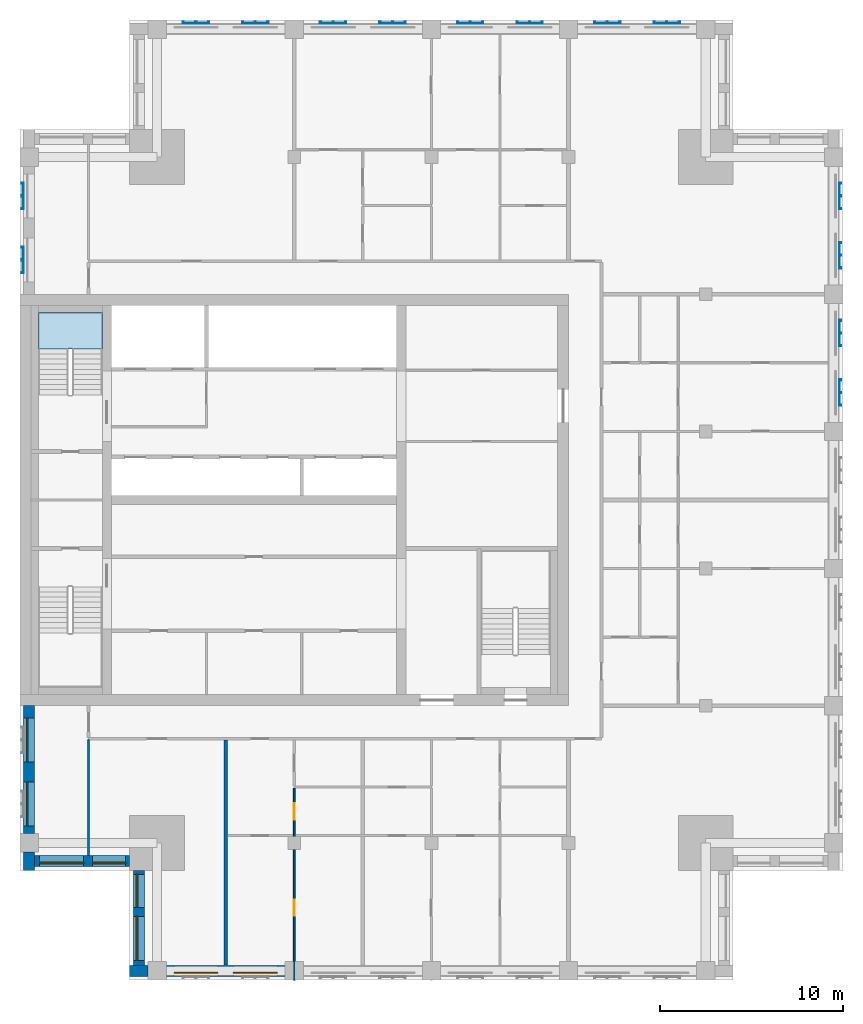
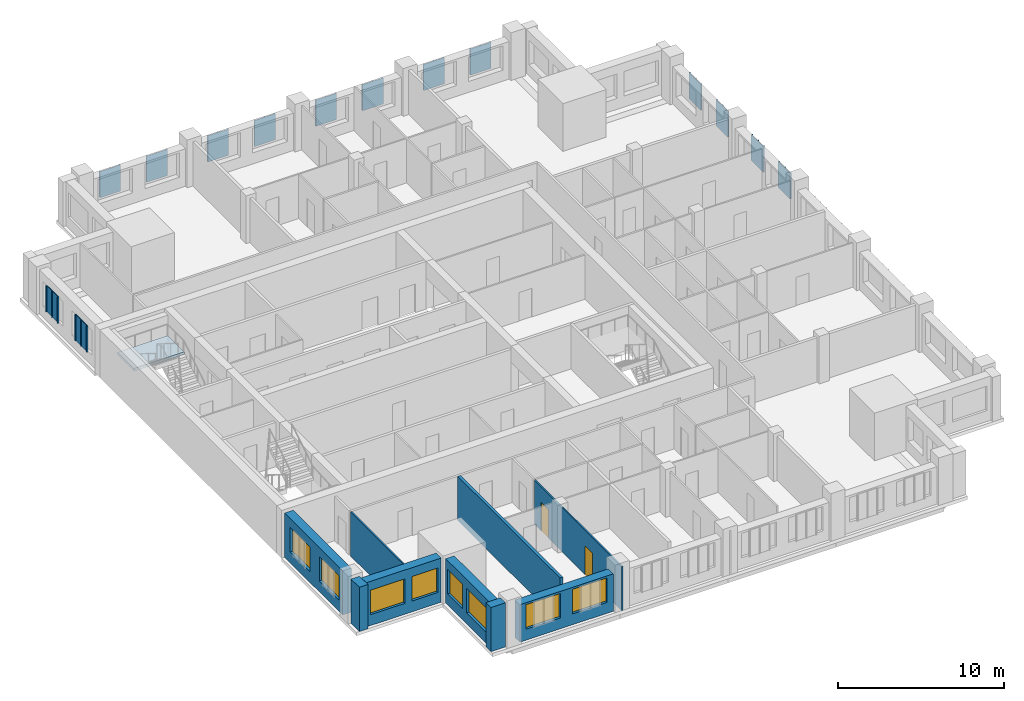
# One storey, part 2 of 10: 14 plates, 9 walls, 8 windows, 2 doors, 1 slab, 10 openings, 1 element without a shape of its own.
"""IFC4 building model written with IfcOpenShell, lengths in metres."""

from ifc_helpers import new_model, si_unit, direction, frame, frame_2d, origin, place, context, subcontext, project, spatial, polyline, rectangle, outline, extrude, material, layer, layer_set, type_object, element, fill, aggregate, save


model = new_model("IFC4")

# Units and contexts
model_context = context("Model", 3, precision=1e-05, world=origin(), true_north=direction((0.0, 1.0)))
body_context = subcontext(model_context, "Body", "Model", "MODEL_VIEW")
ifc_project = project(units=[si_unit("LENGTHUNIT", "METRE"), si_unit("AREAUNIT", "SQUARE_METRE"), si_unit("VOLUMEUNIT", "CUBIC_METRE"), si_unit("PLANEANGLEUNIT", "RADIAN"), si_unit("MASSUNIT", "GRAM", prefix="KILO")], contexts=[model_context])

# Site, building, storey
site_placement = place(None, origin())
site = spatial("IfcSite", under=ifc_project, at=site_placement, CompositionType="ELEMENT")
building_placement = place(site_placement, origin())
building = spatial("IfcBuilding", under=site, at=building_placement, Name="Tamorin Gate", CompositionType="ELEMENT")
storey_placement = place(building_placement, frame((0.0, 0.0, 269.699951171875)))
storey = spatial("IfcBuildingStorey", under=building, at=storey_placement, Name="L67", CompositionType="ELEMENT", Elevation=269.699951171875)

# Stair, slab
ifc_material_1 = material(Name="Concrete C40/50", Category="concrete")
stair_type = type_object("IfcStairType", Name="Exit stair", PredefinedType="HALF_TURN_STAIR", material=ifc_material_1)
stair_placement = place(storey_placement, origin())
stair = element("IfcStair", 1, at=stair_placement, inside=storey, type_object=stair_type, Name="L67 stair ST2", PredefinedType="HALF_TURN_STAIR")
ifc_layer_1 = layer(ifc_material_1, 0.199951171875)
ifc_layer_set_1 = layer_set([ifc_layer_1], Name="Exit stair landing 200")
slab_type = type_object("IfcSlabType", Name="Exit stair landing 200", PredefinedType="LANDING", material=ifc_layer_set_1)
slab_placement = place(storey_placement, frame((0.0, 0.0, 1.550048828125)))
slab = element("IfcSlab", 2, at=slab_placement, type_object=slab_type, Name="ST2 landing 1", PredefinedType="LANDING", context=body_context, shape_type="SweptSolid", body=[
    extrude(outline(polyline([(34.5, 79.52001953125), (34.5, 81.5), (31.0, 81.5), (31.0, 79.52001953125), (34.5, 79.52001953125)])), origin(), (0.0, 0.0, 1.0), 0.199951171875),
])
aggregate(stair, [slab])

# Plates
ifc_material_2 = material(Name="Perforated pale aluminium sheet", Category="aluminium")
ifc_layer_2 = layer(ifc_material_2, 0.0400390625)
ifc_layer_set_2 = layer_set([ifc_layer_2], Name="Pale metal solar screen 1440")
plate_type = type_object("IfcPlateType", Name="Pale metal solar screen 1440", PredefinedType="SHEET", material=ifc_layer_set_2)
plate_1_placement = place(storey_placement, frame((0.0, 0.0, 0.737548828125)))
element("IfcPlate", 3, at=plate_1_placement, inside=storey, type_object=plate_type, Name="Perforated solar screen", PredefinedType="SHEET", context=body_context, shape_type="SweptSolid", body=[
    extrude(outline(polyline([(74.840087890625, 76.405029296875), (74.800048828125, 76.405029296875), (74.800048828125, 76.465087890625), (74.800048828125, 77.094970703125), (74.800048828125, 77.155029296875), (74.800048828125, 77.784912109375), (74.800048828125, 77.844970703125), (74.840087890625, 77.844970703125), (74.89990234375, 77.844970703125), (74.89990234375, 77.784912109375), (74.840087890625, 77.784912109375), (74.840087890625, 77.155029296875), (74.89990234375, 77.155029296875), (74.89990234375, 77.094970703125), (74.840087890625, 77.094970703125), (74.840087890625, 76.465087890625), (74.89990234375, 76.465087890625), (74.89990234375, 76.405029296875), (74.840087890625, 76.405029296875)])), origin(), (0.0, 0.0, 1.0), 1.925048828125),
])
plate_2_placement = place(storey_placement, frame((0.0, 0.0, 0.737548828125)))
element("IfcPlate", 4, at=plate_2_placement, inside=storey, type_object=plate_type, Name="Perforated solar screen", PredefinedType="SHEET", context=body_context, shape_type="SweptSolid", body=[
    extrude(outline(polyline([(74.840087890625, 79.655029296875), (74.800048828125, 79.655029296875), (74.800048828125, 79.715087890625), (74.800048828125, 80.344970703125), (74.800048828125, 80.405029296875), (74.800048828125, 81.034912109375), (74.800048828125, 81.094970703125), (74.840087890625, 81.094970703125), (74.89990234375, 81.094970703125), (74.89990234375, 81.034912109375), (74.840087890625, 81.034912109375), (74.840087890625, 80.405029296875), (74.89990234375, 80.405029296875), (74.89990234375, 80.344970703125), (74.840087890625, 80.344970703125), (74.840087890625, 79.715087890625), (74.89990234375, 79.715087890625), (74.89990234375, 79.655029296875), (74.840087890625, 79.655029296875)])), origin(), (0.0, 0.0, 1.0), 1.925048828125),
])
plate_3_placement = place(storey_placement, frame((0.0, 0.0, 0.737548828125)))
element("IfcPlate", 5, at=plate_3_placement, inside=storey, type_object=plate_type, Name="Perforated solar screen", PredefinedType="SHEET", context=body_context, shape_type="SweptSolid", body=[
    extrude(outline(polyline([(74.840087890625, 83.905029296875), (74.800048828125, 83.905029296875), (74.800048828125, 83.965087890625), (74.800048828125, 84.594970703125), (74.800048828125, 84.655029296875), (74.800048828125, 85.284912109375), (74.800048828125, 85.344970703125), (74.840087890625, 85.344970703125), (74.89990234375, 85.344970703125), (74.89990234375, 85.284912109375), (74.840087890625, 85.284912109375), (74.840087890625, 84.655029296875), (74.89990234375, 84.655029296875), (74.89990234375, 84.594970703125), (74.840087890625, 84.594970703125), (74.840087890625, 83.965087890625), (74.89990234375, 83.965087890625), (74.89990234375, 83.905029296875), (74.840087890625, 83.905029296875)])), origin(), (0.0, 0.0, 1.0), 1.925048828125),
])
plate_4_placement = place(storey_placement, frame((0.0, 0.0, 0.737548828125)))
element("IfcPlate", 6, at=plate_4_placement, inside=storey, type_object=plate_type, Name="Perforated solar screen", PredefinedType="SHEET", context=body_context, shape_type="SweptSolid", body=[
    extrude(outline(polyline([(74.840087890625, 87.155029296875), (74.800048828125, 87.155029296875), (74.800048828125, 87.215087890625), (74.800048828125, 87.844970703125), (74.800048828125, 87.905029296875), (74.800048828125, 88.534912109375), (74.800048828125, 88.594970703125), (74.840087890625, 88.594970703125), (74.89990234375, 88.594970703125), (74.89990234375, 88.534912109375), (74.840087890625, 88.534912109375), (74.840087890625, 87.905029296875), (74.89990234375, 87.905029296875), (74.89990234375, 87.844970703125), (74.840087890625, 87.844970703125), (74.840087890625, 87.215087890625), (74.89990234375, 87.215087890625), (74.89990234375, 87.155029296875), (74.840087890625, 87.155029296875)])), origin(), (0.0, 0.0, 1.0), 1.925048828125),
])
plate_5_placement = place(storey_placement, frame((0.0, 0.0, 0.737548828125)))
element("IfcPlate", 7, at=plate_5_placement, inside=storey, type_object=plate_type, Name="Perforated solar screen", PredefinedType="SHEET", context=body_context, shape_type="SweptSolid", body=[
    extrude(outline(polyline([(62.844970703125, 97.340087890625), (62.844970703125, 97.300048828125), (62.784912109375, 97.300048828125), (62.155029296875, 97.300048828125), (62.094970703125, 97.300048828125), (61.465087890625, 97.300048828125), (61.405029296875, 97.300048828125), (61.405029296875, 97.300048828125), (61.405029296875, 97.340087890625), (61.405029296875, 97.340087890625), (61.405029296875, 97.39990234375), (61.465087890625, 97.39990234375), (61.465087890625, 97.340087890625), (62.094970703125, 97.340087890625), (62.094970703125, 97.39990234375), (62.155029296875, 97.39990234375), (62.155029296875, 97.340087890625), (62.784912109375, 97.340087890625), (62.784912109375, 97.39990234375), (62.844970703125, 97.39990234375), (62.844970703125, 97.340087890625)])), origin(), (0.0, 0.0, 1.0), 1.925048828125),
])
plate_6_placement = place(storey_placement, frame((0.0, 0.0, 0.737548828125)))
element("IfcPlate", 8, at=plate_6_placement, inside=storey, type_object=plate_type, Name="Perforated solar screen", PredefinedType="SHEET", context=body_context, shape_type="SweptSolid", body=[
    extrude(outline(polyline([(66.094970703125, 97.340087890625), (66.094970703125, 97.300048828125), (66.034912109375, 97.300048828125), (65.405029296875, 97.300048828125), (65.344970703125, 97.300048828125), (64.715087890625, 97.300048828125), (64.655029296875, 97.300048828125), (64.655029296875, 97.300048828125), (64.655029296875, 97.340087890625), (64.655029296875, 97.340087890625), (64.655029296875, 97.39990234375), (64.715087890625, 97.39990234375), (64.715087890625, 97.340087890625), (65.344970703125, 97.340087890625), (65.344970703125, 97.39990234375), (65.405029296875, 97.39990234375), (65.405029296875, 97.340087890625), (66.034912109375, 97.340087890625), (66.034912109375, 97.39990234375), (66.094970703125, 97.39990234375), (66.094970703125, 97.340087890625)])), origin(), (0.0, 0.0, 1.0), 1.925048828125),
])
plate_7_placement = place(storey_placement, frame((0.0, 0.0, 0.737548828125)))
element("IfcPlate", 9, at=plate_7_placement, inside=storey, type_object=plate_type, Name="Perforated solar screen", PredefinedType="SHEET", context=body_context, shape_type="SweptSolid", body=[
    extrude(outline(polyline([(55.344970703125, 97.340087890625), (55.344970703125, 97.300048828125), (55.284912109375, 97.300048828125), (54.655029296875, 97.300048828125), (54.594970703125, 97.300048828125), (53.965087890625, 97.300048828125), (53.905029296875, 97.300048828125), (53.905029296875, 97.340087890625), (53.905029296875, 97.39990234375), (53.965087890625, 97.39990234375), (53.965087890625, 97.340087890625), (54.594970703125, 97.340087890625), (54.594970703125, 97.39990234375), (54.655029296875, 97.39990234375), (54.655029296875, 97.340087890625), (55.284912109375, 97.340087890625), (55.284912109375, 97.39990234375), (55.344970703125, 97.39990234375), (55.344970703125, 97.340087890625)])), origin(), (0.0, 0.0, 1.0), 1.925048828125),
])
plate_8_placement = place(storey_placement, frame((0.0, 0.0, 0.737548828125)))
element("IfcPlate", 10, at=plate_8_placement, inside=storey, type_object=plate_type, Name="Perforated solar screen", PredefinedType="SHEET", context=body_context, shape_type="SweptSolid", body=[
    extrude(outline(polyline([(58.594970703125, 97.340087890625), (58.594970703125, 97.300048828125), (58.534912109375, 97.300048828125), (57.905029296875, 97.300048828125), (57.844970703125, 97.300048828125), (57.215087890625, 97.300048828125), (57.155029296875, 97.300048828125), (57.155029296875, 97.340087890625), (57.155029296875, 97.39990234375), (57.215087890625, 97.39990234375), (57.215087890625, 97.340087890625), (57.844970703125, 97.340087890625), (57.844970703125, 97.39990234375), (57.905029296875, 97.39990234375), (57.905029296875, 97.340087890625), (58.534912109375, 97.340087890625), (58.534912109375, 97.39990234375), (58.594970703125, 97.39990234375), (58.594970703125, 97.340087890625)])), origin(), (0.0, 0.0, 1.0), 1.925048828125),
])
plate_9_placement = place(storey_placement, frame((0.0, 0.0, 0.737548828125)))
element("IfcPlate", 11, at=plate_9_placement, inside=storey, type_object=plate_type, Name="Perforated solar screen", PredefinedType="SHEET", context=body_context, shape_type="SweptSolid", body=[
    extrude(outline(polyline([(47.844970703125, 97.340087890625), (47.844970703125, 97.300048828125), (47.784912109375, 97.300048828125), (47.155029296875, 97.300048828125), (47.094970703125, 97.300048828125), (46.465087890625, 97.300048828125), (46.405029296875, 97.300048828125), (46.405029296875, 97.340087890625), (46.405029296875, 97.39990234375), (46.465087890625, 97.39990234375), (46.465087890625, 97.340087890625), (47.094970703125, 97.340087890625), (47.094970703125, 97.39990234375), (47.155029296875, 97.39990234375), (47.155029296875, 97.340087890625), (47.784912109375, 97.340087890625), (47.784912109375, 97.39990234375), (47.844970703125, 97.39990234375), (47.844970703125, 97.340087890625)])), origin(), (0.0, 0.0, 1.0), 1.925048828125),
])
plate_10_placement = place(storey_placement, frame((0.0, 0.0, 0.737548828125)))
element("IfcPlate", 12, at=plate_10_placement, inside=storey, type_object=plate_type, Name="Perforated solar screen", PredefinedType="SHEET", context=body_context, shape_type="SweptSolid", body=[
    extrude(outline(polyline([(51.094970703125, 97.340087890625), (51.094970703125, 97.300048828125), (51.034912109375, 97.300048828125), (50.405029296875, 97.300048828125), (50.344970703125, 97.300048828125), (49.715087890625, 97.300048828125), (49.655029296875, 97.300048828125), (49.655029296875, 97.340087890625), (49.655029296875, 97.39990234375), (49.715087890625, 97.39990234375), (49.715087890625, 97.340087890625), (50.344970703125, 97.340087890625), (50.344970703125, 97.39990234375), (50.405029296875, 97.39990234375), (50.405029296875, 97.340087890625), (51.034912109375, 97.340087890625), (51.034912109375, 97.39990234375), (51.094970703125, 97.39990234375), (51.094970703125, 97.340087890625)])), origin(), (0.0, 0.0, 1.0), 1.925048828125),
])
plate_11_placement = place(storey_placement, frame((0.0, 0.0, 0.737548828125)))
element("IfcPlate", 13, at=plate_11_placement, inside=storey, type_object=plate_type, Name="Perforated solar screen", PredefinedType="SHEET", context=body_context, shape_type="SweptSolid", body=[
    extrude(outline(polyline([(40.344970703125, 97.340087890625), (40.344970703125, 97.300048828125), (40.284912109375, 97.300048828125), (39.655029296875, 97.300048828125), (39.594970703125, 97.300048828125), (38.965087890625, 97.300048828125), (38.905029296875, 97.300048828125), (38.905029296875, 97.340087890625), (38.905029296875, 97.39990234375), (38.965087890625, 97.39990234375), (38.965087890625, 97.340087890625), (39.594970703125, 97.340087890625), (39.594970703125, 97.39990234375), (39.655029296875, 97.39990234375), (39.655029296875, 97.340087890625), (40.284912109375, 97.340087890625), (40.284912109375, 97.39990234375), (40.344970703125, 97.39990234375), (40.344970703125, 97.340087890625)])), origin(), (0.0, 0.0, 1.0), 1.925048828125),
])
plate_12_placement = place(storey_placement, frame((0.0, 0.0, 0.737548828125)))
element("IfcPlate", 14, at=plate_12_placement, inside=storey, type_object=plate_type, Name="Perforated solar screen", PredefinedType="SHEET", context=body_context, shape_type="SweptSolid", body=[
    extrude(outline(polyline([(43.594970703125, 97.340087890625), (43.594970703125, 97.300048828125), (43.534912109375, 97.300048828125), (42.905029296875, 97.300048828125), (42.844970703125, 97.300048828125), (42.215087890625, 97.300048828125), (42.155029296875, 97.300048828125), (42.155029296875, 97.340087890625), (42.155029296875, 97.39990234375), (42.215087890625, 97.39990234375), (42.215087890625, 97.340087890625), (42.844970703125, 97.340087890625), (42.844970703125, 97.39990234375), (42.905029296875, 97.39990234375), (42.905029296875, 97.340087890625), (43.534912109375, 97.340087890625), (43.534912109375, 97.39990234375), (43.594970703125, 97.39990234375), (43.594970703125, 97.340087890625)])), origin(), (0.0, 0.0, 1.0), 1.925048828125),
])
plate_13_placement = place(storey_placement, frame((0.0, 0.0, 0.737548828125)))
element("IfcPlate", 15, at=plate_13_placement, inside=storey, type_object=plate_type, Name="Perforated solar screen", PredefinedType="SHEET", context=body_context, shape_type="SweptSolid", body=[
    extrude(outline(polyline([(30.159912109375, 85.094970703125), (30.199951171875, 85.094970703125), (30.199951171875, 85.034912109375), (30.199951171875, 84.405029296875), (30.199951171875, 84.344970703125), (30.199951171875, 83.715087890625), (30.199951171875, 83.655029296875), (30.199951171875, 83.655029296875), (30.159912109375, 83.655029296875), (30.159912109375, 83.655029296875), (30.10009765625, 83.655029296875), (30.10009765625, 83.715087890625), (30.159912109375, 83.715087890625), (30.159912109375, 84.344970703125), (30.10009765625, 84.344970703125), (30.10009765625, 84.405029296875), (30.159912109375, 84.405029296875), (30.159912109375, 85.034912109375), (30.10009765625, 85.034912109375), (30.10009765625, 85.094970703125), (30.159912109375, 85.094970703125)])), origin(), (0.0, 0.0, 1.0), 1.925048828125),
])
plate_14_placement = place(storey_placement, frame((0.0, 0.0, 0.737548828125)))
element("IfcPlate", 16, at=plate_14_placement, inside=storey, type_object=plate_type, Name="Perforated solar screen", PredefinedType="SHEET", context=body_context, shape_type="SweptSolid", body=[
    extrude(outline(polyline([(30.159912109375, 88.594970703125), (30.199951171875, 88.594970703125), (30.199951171875, 88.534912109375), (30.199951171875, 87.905029296875), (30.199951171875, 87.844970703125), (30.199951171875, 87.215087890625), (30.199951171875, 87.155029296875), (30.199951171875, 87.155029296875), (30.159912109375, 87.155029296875), (30.159912109375, 87.155029296875), (30.10009765625, 87.155029296875), (30.10009765625, 87.215087890625), (30.159912109375, 87.215087890625), (30.159912109375, 87.844970703125), (30.10009765625, 87.844970703125), (30.10009765625, 87.905029296875), (30.159912109375, 87.905029296875), (30.159912109375, 88.534912109375), (30.10009765625, 88.534912109375), (30.10009765625, 88.594970703125), (30.159912109375, 88.594970703125)])), origin(), (0.0, 0.0, 1.0), 1.925048828125),
])

# Wall
ifc_material_3 = material(Name="Precast concrete C40/50", Category="concrete")
ifc_layer_3 = layer(ifc_material_3, 0.60009765625)
ifc_layer_set_3 = layer_set([ifc_layer_3], Name="Precast concrete C40/50")
wall_type_1 = type_object("IfcWallType", Name="Board-marked concrete facade panel 600", PredefinedType="SOLIDWALL", material=ifc_layer_set_3)
wall_1_placement = place(storey_placement, frame((36.0, 45.5, 0.0), z_axis=(0.0, 0.0, 1.0), x_axis=(1.0, 0.0, 0.0)))
element("IfcWall", 17, at=wall_1_placement, inside=storey, type_object=wall_type_1, Name="Facade panel", PredefinedType="SOLIDWALL", context=body_context, shape_type="SweptSolid", body=[
    extrude(rectangle(XDim=1.0, YDim=0.60009765625, at=frame_2d((0.5, 0.0))), origin(), (0.0, 0.0, 1.0), 3.25),
])

# Wall, openings, windows
wall_2_placement = place(storey_placement, frame((38.0, 45.5, 0.0), z_axis=(0.0, 0.0, 1.0), x_axis=(1.0, 0.0, 0.0)))
wall_2 = element("IfcWall", 18, at=wall_2_placement, inside=storey, type_object=wall_type_1, Name="Facade panel", PredefinedType="SOLIDWALL", context=body_context, shape_type="SweptSolid", body=[
    extrude(rectangle(XDim=6.5, YDim=0.60009765625, at=frame_2d((3.25, 0.0))), origin(), (0.0, 0.0, 1.0), 2.75),
])
opening_1_placement = place(wall_2_placement, frame((0.425048828125, 0.0, 0.800048828125)))
opening_1 = element("IfcOpeningElement", 19, at=opening_1_placement, cuts=wall_2, Name="Opening WN1", PredefinedType="OPENING", context=body_context, shape_type="SweptSolid", body=[
    extrude(rectangle(XDim=2.39990234375, YDim=1.800048828125, at=frame_2d((1.199951171875, 0.89990234375))), frame((0.0, 0.31005859375, 0.0), z_axis=(0.0, -1.0, 0.0), x_axis=(1.0, 0.0, 0.0)), (0.0, 0.0, 1.0), 0.6201171875),
])
opening_2_placement = place(wall_2_placement, frame((3.675048828125, 0.0, 0.800048828125)))
opening_2 = element("IfcOpeningElement", 20, at=opening_2_placement, cuts=wall_2, Name="Opening WN1", PredefinedType="OPENING", context=body_context, shape_type="SweptSolid", body=[
    extrude(rectangle(XDim=2.39990234375, YDim=1.800048828125, at=frame_2d((1.199951171875, 0.89990234375))), frame((0.0, 0.31005859375, 0.0), z_axis=(0.0, -1.0, 0.0), x_axis=(1.0, 0.0, 0.0)), (0.0, 0.0, 1.0), 0.6201171875),
])
ifc_material_4 = material(Name="Clear glass in aluminium frame", Category="aluminium")
window_type_1 = type_object("IfcWindowType", Name="Deep-set window 2400x1800", PartitioningType="SINGLE_PANEL", PredefinedType="WINDOW", material=ifc_material_4)
window_1_placement = place(opening_1_placement, origin())
window_1 = element("IfcWindow", 21, at=window_1_placement, inside=storey, type_object=window_type_1, Name="Deep-set window", OverallHeight=1.800048828125, OverallWidth=2.39990234375, PartitioningType="SINGLE_PANEL", PredefinedType="WINDOW", context=body_context, shape_type="SweptSolid", body=[
    extrude(rectangle(XDim=2.39990234375, YDim=1.800048828125, at=frame_2d((1.199951171875, 0.89990234375))), frame((0.0, -0.070068359375, 0.0), z_axis=(0.0, -1.0, 0.0), x_axis=(1.0, 0.0, 0.0)), (0.0, 0.0, 1.0), 0.06005859375),
])
fill(opening_1, window_1)
window_2_placement = place(opening_2_placement, origin())
window_2 = element("IfcWindow", 22, at=window_2_placement, inside=storey, type_object=window_type_1, Name="Deep-set window", OverallHeight=1.800048828125, OverallWidth=2.39990234375, PartitioningType="SINGLE_PANEL", PredefinedType="WINDOW", context=body_context, shape_type="SweptSolid", body=[
    extrude(rectangle(XDim=2.39990234375, YDim=1.800048828125, at=frame_2d((1.199951171875, 0.89990234375))), frame((0.0, -0.070068359375, 0.0), z_axis=(0.0, -1.0, 0.0), x_axis=(1.0, 0.0, 0.0)), (0.0, 0.0, 1.0), 0.06005859375),
])
fill(opening_2, window_2)

wall_3_placement = place(storey_placement, frame((30.5, 60.0, 0.0), z_axis=(0.0, 0.0, 1.0), x_axis=(0.0, -1.0, 0.0)))
wall_3 = element("IfcWall", 23, at=wall_3_placement, inside=storey, type_object=wall_type_1, Name="Facade panel", PredefinedType="SOLIDWALL", context=body_context, shape_type="SweptSolid", body=[
    extrude(rectangle(XDim=7.0, YDim=0.60009765625, at=frame_2d((3.5, 0.0))), origin(), (0.0, 0.0, 1.0), 3.25),
])
opening_3_placement = place(wall_3_placement, frame((4.175048828125, 0.0, 0.800048828125)))
opening_3 = element("IfcOpeningElement", 24, at=opening_3_placement, cuts=wall_3, Name="Opening WN1", PredefinedType="OPENING", context=body_context, shape_type="SweptSolid", body=[
    extrude(rectangle(XDim=2.39990234375, YDim=1.800048828125, at=frame_2d((1.199951171875, 0.89990234375))), frame((0.0, 0.31005859375, 0.0), z_axis=(0.0, -1.0, 0.0), x_axis=(1.0, 0.0, 0.0)), (0.0, 0.0, 1.0), 0.6201171875),
])
opening_4_placement = place(wall_3_placement, frame((0.675048828125, 0.0, 0.800048828125)))
opening_4 = element("IfcOpeningElement", 25, at=opening_4_placement, cuts=wall_3, Name="Opening WN1", PredefinedType="OPENING", context=body_context, shape_type="SweptSolid", body=[
    extrude(rectangle(XDim=2.39990234375, YDim=1.800048828125, at=frame_2d((1.199951171875, 0.89990234375))), frame((0.0, 0.31005859375, 0.0), z_axis=(0.0, -1.0, 0.0), x_axis=(1.0, 0.0, 0.0)), (0.0, 0.0, 1.0), 0.6201171875),
])
window_3_placement = place(opening_3_placement, origin())
window_3 = element("IfcWindow", 26, at=window_3_placement, inside=storey, type_object=window_type_1, Name="Deep-set window", OverallHeight=1.800048828125, OverallWidth=2.39990234375, PartitioningType="SINGLE_PANEL", PredefinedType="WINDOW", context=body_context, shape_type="SweptSolid", body=[
    extrude(rectangle(XDim=2.39990234375, YDim=1.800048828125, at=frame_2d((1.199951171875, 0.89990234375))), frame((0.0, -0.070068359375, 0.0), z_axis=(0.0, -1.0, 0.0), x_axis=(1.0, 0.0, 0.0)), (0.0, 0.0, 1.0), 0.06005859375),
])
fill(opening_3, window_3)
window_4_placement = place(opening_4_placement, origin())
window_4 = element("IfcWindow", 27, at=window_4_placement, inside=storey, type_object=window_type_1, Name="Deep-set window", OverallHeight=1.800048828125, OverallWidth=2.39990234375, PartitioningType="SINGLE_PANEL", PredefinedType="WINDOW", context=body_context, shape_type="SweptSolid", body=[
    extrude(rectangle(XDim=2.39990234375, YDim=1.800048828125, at=frame_2d((1.199951171875, 0.89990234375))), frame((0.0, -0.070068359375, 0.0), z_axis=(0.0, -1.0, 0.0), x_axis=(1.0, 0.0, 0.0)), (0.0, 0.0, 1.0), 0.06005859375),
])
fill(opening_4, window_4)

# Wall
wall_4_placement = place(storey_placement, frame((30.5, 52.0, 0.0), z_axis=(0.0, 0.0, 1.0), x_axis=(0.0, -1.0, 0.0)))
element("IfcWall", 28, at=wall_4_placement, inside=storey, type_object=wall_type_1, Name="Facade panel", PredefinedType="SOLIDWALL", context=body_context, shape_type="SweptSolid", body=[
    extrude(rectangle(XDim=1.0, YDim=0.60009765625, at=frame_2d((0.5, 0.0))), origin(), (0.0, 0.0, 1.0), 3.25),
])

# Wall, openings, windows
wall_5_placement = place(storey_placement, frame((30.800048828125, 51.5, 0.0), z_axis=(0.0, 0.0, 1.0), x_axis=(1.0, 0.0, 0.0)))
wall_5 = element("IfcWall", 29, at=wall_5_placement, inside=storey, type_object=wall_type_1, Name="Facade panel", PredefinedType="SOLIDWALL", context=body_context, shape_type="SweptSolid", body=[
    extrude(rectangle(XDim=5.199951171875, YDim=0.60009765625, at=frame_2d((2.60009765625, 0.0))), origin(), (0.0, 0.0, 1.0), 3.25),
])
opening_5_placement = place(wall_5_placement, frame((0.27490234375, 0.0, 0.800048828125)))
opening_5 = element("IfcOpeningElement", 30, at=opening_5_placement, cuts=wall_5, Name="Opening WN1", PredefinedType="OPENING", context=body_context, shape_type="SweptSolid", body=[
    extrude(rectangle(XDim=2.39990234375, YDim=1.800048828125, at=frame_2d((1.199951171875, 0.89990234375))), frame((0.0, 0.31005859375, 0.0), z_axis=(0.0, -1.0, 0.0), x_axis=(1.0, 0.0, 0.0)), (0.0, 0.0, 1.0), 0.6201171875),
])
opening_6_placement = place(wall_5_placement, frame((3.175048828125, 0.0, 0.800048828125)))
opening_6 = element("IfcOpeningElement", 31, at=opening_6_placement, cuts=wall_5, Name="Opening WN2", PredefinedType="OPENING", context=body_context, shape_type="SweptSolid", body=[
    extrude(rectangle(XDim=1.800048828125, YDim=1.800048828125, at=frame_2d((0.89990234375, 0.89990234375))), frame((0.0, 0.31005859375, 0.0), z_axis=(0.0, -1.0, 0.0), x_axis=(1.0, 0.0, 0.0)), (0.0, 0.0, 1.0), 0.6201171875),
])
window_type_2 = type_object("IfcWindowType", Name="Deep-set window 1800x1800", PartitioningType="SINGLE_PANEL", PredefinedType="WINDOW", material=ifc_material_4)
window_5_placement = place(opening_6_placement, origin())
window_5 = element("IfcWindow", 32, at=window_5_placement, inside=storey, type_object=window_type_2, Name="Deep-set window", OverallHeight=1.800048828125, OverallWidth=1.800048828125, PartitioningType="SINGLE_PANEL", PredefinedType="WINDOW", context=body_context, shape_type="SweptSolid", body=[
    extrude(rectangle(XDim=1.800048828125, YDim=1.800048828125, at=frame_2d((0.89990234375, 0.89990234375))), frame((0.0, -0.070068359375, 0.0), z_axis=(0.0, -1.0, 0.0), x_axis=(1.0, 0.0, 0.0)), (0.0, 0.0, 1.0), 0.06005859375),
])
fill(opening_6, window_5)
window_6_placement = place(opening_5_placement, origin())
window_6 = element("IfcWindow", 33, at=window_6_placement, inside=storey, type_object=window_type_1, Name="Deep-set window", OverallHeight=1.800048828125, OverallWidth=2.39990234375, PartitioningType="SINGLE_PANEL", PredefinedType="WINDOW", context=body_context, shape_type="SweptSolid", body=[
    extrude(rectangle(XDim=2.39990234375, YDim=1.800048828125, at=frame_2d((1.199951171875, 0.89990234375))), frame((0.0, -0.070068359375, 0.0), z_axis=(0.0, -1.0, 0.0), x_axis=(1.0, 0.0, 0.0)), (0.0, 0.0, 1.0), 0.06005859375),
])
fill(opening_5, window_6)

wall_6_placement = place(storey_placement, frame((36.5, 51.0, 0.0), z_axis=(0.0, 0.0, 1.0), x_axis=(0.0, -1.0, 0.0)))
wall_6 = element("IfcWall", 34, at=wall_6_placement, inside=storey, type_object=wall_type_1, Name="Facade panel", PredefinedType="SOLIDWALL", context=body_context, shape_type="SweptSolid", body=[
    extrude(rectangle(XDim=5.199951171875, YDim=0.60009765625, at=frame_2d((2.60009765625, 0.0))), origin(), (0.0, 0.0, 1.0), 3.25),
])
opening_7_placement = place(wall_6_placement, frame((2.52490234375, 0.0, 0.800048828125)))
opening_7 = element("IfcOpeningElement", 35, at=opening_7_placement, cuts=wall_6, Name="Opening WN1", PredefinedType="OPENING", context=body_context, shape_type="SweptSolid", body=[
    extrude(rectangle(XDim=2.39990234375, YDim=1.800048828125, at=frame_2d((1.199951171875, 0.89990234375))), frame((0.0, 0.31005859375, 0.0), z_axis=(0.0, -1.0, 0.0), x_axis=(1.0, 0.0, 0.0)), (0.0, 0.0, 1.0), 0.6201171875),
])
opening_8_placement = place(wall_6_placement, frame((0.22509765625, 0.0, 0.800048828125)))
opening_8 = element("IfcOpeningElement", 36, at=opening_8_placement, cuts=wall_6, Name="Opening WN2", PredefinedType="OPENING", context=body_context, shape_type="SweptSolid", body=[
    extrude(rectangle(XDim=1.800048828125, YDim=1.800048828125, at=frame_2d((0.89990234375, 0.89990234375))), frame((0.0, 0.31005859375, 0.0), z_axis=(0.0, -1.0, 0.0), x_axis=(1.0, 0.0, 0.0)), (0.0, 0.0, 1.0), 0.6201171875),
])
window_7_placement = place(opening_8_placement, origin())
window_7 = element("IfcWindow", 37, at=window_7_placement, inside=storey, type_object=window_type_2, Name="Deep-set window", OverallHeight=1.800048828125, OverallWidth=1.800048828125, PartitioningType="SINGLE_PANEL", PredefinedType="WINDOW", context=body_context, shape_type="SweptSolid", body=[
    extrude(rectangle(XDim=1.800048828125, YDim=1.800048828125, at=frame_2d((0.89990234375, 0.89990234375))), frame((0.0, -0.070068359375, 0.0), z_axis=(0.0, -1.0, 0.0), x_axis=(1.0, 0.0, 0.0)), (0.0, 0.0, 1.0), 0.06005859375),
])
fill(opening_8, window_7)
window_8_placement = place(opening_7_placement, origin())
window_8 = element("IfcWindow", 38, at=window_8_placement, inside=storey, type_object=window_type_1, Name="Deep-set window", OverallHeight=1.800048828125, OverallWidth=2.39990234375, PartitioningType="SINGLE_PANEL", PredefinedType="WINDOW", context=body_context, shape_type="SweptSolid", body=[
    extrude(rectangle(XDim=2.39990234375, YDim=1.800048828125, at=frame_2d((1.199951171875, 0.89990234375))), frame((0.0, -0.070068359375, 0.0), z_axis=(0.0, -1.0, 0.0), x_axis=(1.0, 0.0, 0.0)), (0.0, 0.0, 1.0), 0.06005859375),
])
fill(opening_7, window_8)

# Walls
ifc_material_5 = material(Name="Gypsum board partition")
ifc_layer_4 = layer(ifc_material_5, 0.199951171875)
ifc_layer_set_4 = layer_set([ifc_layer_4], Name="Demising wall 200")
wall_type_2 = type_object("IfcWallType", Name="Demising wall 200", PredefinedType="PARTITIONING", material=ifc_layer_set_4)
wall_7_placement = place(storey_placement, frame((41.25, 45.81005859375, 0.0), z_axis=(0.0, 0.0, 1.0), x_axis=(0.0, 1.0, 0.0)))
element("IfcWall", 39, at=wall_7_placement, inside=storey, type_object=wall_type_2, Name="Demising wall 200", PredefinedType="PARTITIONING", context=body_context, shape_type="SweptSolid", body=[
    extrude(rectangle(XDim=12.31494140625, YDim=0.199951171875, at=frame_2d((6.157470703125, 0.0))), origin(), (0.0, 0.0, 1.0), 3.25),
])
ifc_layer_5 = layer(ifc_material_5, 0.10009765625)
ifc_layer_set_5 = layer_set([ifc_layer_5], Name="Room partition 100")
wall_type_3 = type_object("IfcWallType", Name="Room partition 100", PredefinedType="PARTITIONING", material=ifc_layer_set_5)
wall_8_placement = place(storey_placement, frame((33.75, 51.81005859375, 0.0), z_axis=(0.0, 0.0, 1.0), x_axis=(0.0, 1.0, 0.0)))
element("IfcWall", 40, at=wall_8_placement, inside=storey, type_object=wall_type_3, Name="Room partition 100", PredefinedType="PARTITIONING", context=body_context, shape_type="SweptSolid", body=[
    extrude(rectangle(XDim=6.31494140625, YDim=0.10009765625, at=frame_2d((3.157470703125, 0.0))), origin(), (0.0, 0.0, 1.0), 3.25),
])

# Wall, openings, doors
wall_9_placement = place(storey_placement, frame((45.0, 45.0, 0.0), z_axis=(0.0, 0.0, 1.0), x_axis=(0.0, 1.0, 0.0)))
wall_9 = element("IfcWall", 41, at=wall_9_placement, inside=storey, type_object=wall_type_3, Name="Room partition 100", PredefinedType="PARTITIONING", context=body_context, shape_type="SweptSolid", body=[
    extrude(rectangle(XDim=10.487548828125, YDim=0.10009765625, at=frame_2d((5.24365234375, 0.0))), origin(), (0.0, 0.0, 1.0), 3.25),
])
opening_9_placement = place(wall_9_placement, frame((8.77490234375, 0.0, 0.0)))
opening_9 = element("IfcOpeningElement", 42, at=opening_9_placement, cuts=wall_9, Name="Opening DR9005", PredefinedType="OPENING", context=body_context, shape_type="SweptSolid", body=[
    extrude(rectangle(XDim=0.89990234375, YDim=2.10009765625, at=frame_2d((0.449951171875, 1.050048828125))), frame((0.0, 0.06005859375, 0.0), z_axis=(0.0, -1.0, 0.0), x_axis=(1.0, 0.0, 0.0)), (0.0, 0.0, 1.0), 0.1201171875),
])
opening_10_placement = place(wall_9_placement, frame((3.5, 0.0, 0.0)))
opening_10 = element("IfcOpeningElement", 43, at=opening_10_placement, cuts=wall_9, Name="Opening DR9007", PredefinedType="OPENING", context=body_context, shape_type="SweptSolid", body=[
    extrude(rectangle(XDim=0.89990234375, YDim=2.10009765625, at=frame_2d((0.449951171875, 1.050048828125))), frame((0.0, 0.06005859375, 0.0), z_axis=(0.0, -1.0, 0.0), x_axis=(1.0, 0.0, 0.0)), (0.0, 0.0, 1.0), 0.1201171875),
])
ifc_material_6 = material(Name="Timber door leaf", Category="wood")
door_type = type_object("IfcDoorType", Name="Door 900 x 2100", OperationType="NOTDEFINED", PredefinedType="DOOR", material=ifc_material_6)
door_1_placement = place(opening_9_placement, origin())
door_1 = element("IfcDoor", 44, at=door_1_placement, inside=storey, type_object=door_type, Name="Door DR9005", OperationType="SINGLE_SWING_LEFT", OverallHeight=2.10009765625, OverallWidth=0.89990234375, PredefinedType="DOOR", context=body_context, shape_type="SweptSolid", body=[
    extrude(rectangle(XDim=0.89990234375, YDim=2.10009765625, at=frame_2d((0.449951171875, 1.050048828125))), frame((0.0, 0.02490234375, 0.0), z_axis=(0.0, -1.0, 0.0), x_axis=(1.0, 0.0, 0.0)), (0.0, 0.0, 1.0), 0.050048828125),
])
fill(opening_9, door_1)
door_2_placement = place(opening_10_placement, origin())
door_2 = element("IfcDoor", 45, at=door_2_placement, inside=storey, type_object=door_type, Name="Door DR9007", OperationType="SINGLE_SWING_LEFT", OverallHeight=2.10009765625, OverallWidth=0.89990234375, PredefinedType="DOOR", context=body_context, shape_type="SweptSolid", body=[
    extrude(rectangle(XDim=0.89990234375, YDim=2.10009765625, at=frame_2d((0.449951171875, 1.050048828125))), frame((0.0, 0.02490234375, 0.0), z_axis=(0.0, -1.0, 0.0), x_axis=(1.0, 0.0, 0.0)), (0.0, 0.0, 1.0), 0.050048828125),
])
fill(opening_10, door_2)

save(model, "model.ifc")
